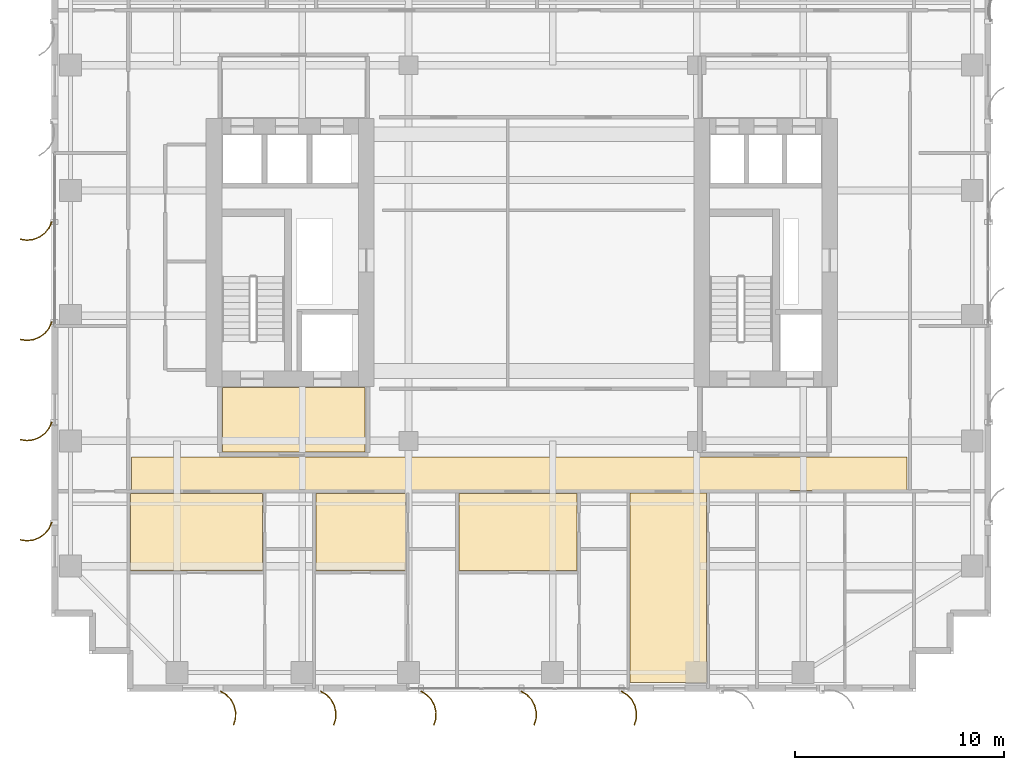
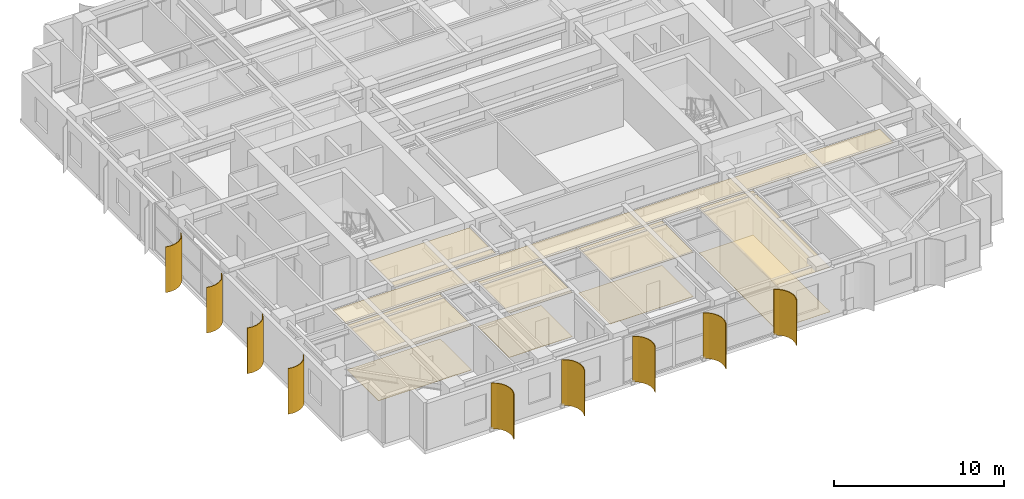
# One storey, part 19 of 22: 10 coverings, 9 shading devices.
"""IFC4 building model written with IfcOpenShell, lengths in metres."""

from ifc_helpers import new_model, si_unit, direction, frame, origin, place, context, subcontext, project, spatial, polyline, outline, extrude, source, transform, mapped, material, layer, layer_set, type_object, element, save


model = new_model("IFC4")

# Units and contexts
model_context = context("Model", 3, precision=1e-05, world=origin(), true_north=direction((0.0, 1.0)))
body_context = subcontext(model_context, "Body", "Model", "MODEL_VIEW")
ifc_project = project(units=[si_unit("LENGTHUNIT", "METRE"), si_unit("AREAUNIT", "SQUARE_METRE"), si_unit("VOLUMEUNIT", "CUBIC_METRE"), si_unit("PLANEANGLEUNIT", "RADIAN"), si_unit("MASSUNIT", "GRAM", prefix="KILO")], contexts=[model_context])

# Site, building, storey
site_placement = place(None, origin())
site = spatial("IfcSite", under=ifc_project, at=site_placement, CompositionType="ELEMENT")
building_placement = place(site_placement, origin())
building = spatial("IfcBuilding", under=site, at=building_placement, Name="Khoralis Quay Care Tower", CompositionType="ELEMENT")
storey_placement = place(building_placement, frame((0.0, 0.0, 98.10009765625)))
storey = spatial("IfcBuildingStorey", under=building, at=storey_placement, Name="L25", CompositionType="ELEMENT", Elevation=98.10009765625)

# Coverings
ifc_material_1 = material(Name="Mineral-fibre acoustic ceiling tile")
ifc_layer_1 = layer(ifc_material_1, 0.01806640625)
ifc_layer_set_1 = layer_set([ifc_layer_1], Name="Mineral-fibre acoustic ceiling tile")
covering_type_1 = type_object("IfcCoveringType", Name="COV-CEIL-AC18", PredefinedType="CEILING", material=ifc_layer_set_1)
covering_1_placement = place(storey_placement, frame((0.0, 0.0, 3.19189453125)))
element("IfcCovering", 1, at=covering_1_placement, inside=storey, type_object=covering_type_1, Name="Suspended Acoustic Ceiling SP-L25-FFLOB-W", PredefinedType="CEILING", context=body_context, shape_type="SweptSolid", body=[
    extrude(outline(polyline([(8.179931640625, 11.47998046875), (15.02001953125, 11.47998046875), (15.02001953125, 14.550048828125), (8.179931640625, 14.550048828125), (8.179931640625, 11.47998046875)])), origin(), (0.0, 0.0, 1.0), 0.01806640625),
])
covering_2_placement = place(storey_placement, frame((0.0, 0.0, 3.19189453125)))
element("IfcCovering", 2, at=covering_2_placement, inside=storey, type_object=covering_type_1, Name="Suspended Acoustic Ceiling SP-L25-CORR-S", PredefinedType="CEILING", context=body_context, shape_type="SweptSolid", body=[
    extrude(outline(polyline([(3.820068359375, 9.6201171875), (40.97998046875, 9.6201171875), (40.97998046875, 11.239990234375), (3.820068359375, 11.239990234375), (3.820068359375, 9.6201171875)])), origin(), (0.0, 0.0, 1.0), 0.01806640625),
])
covering_3_placement = place(storey_placement, frame((0.0, 0.0, 3.19189453125)))
element("IfcCovering", 3, at=covering_3_placement, inside=storey, type_object=covering_type_1, Name="Suspended Acoustic Ceiling SP-L25-SB-CARE0", PredefinedType="CEILING", context=body_context, shape_type="SweptSolid", body=[
    extrude(outline(polyline([(3.780029296875, 5.7900390625), (10.110107421875, 5.7900390625), (10.110107421875, 9.47998046875), (3.780029296875, 9.47998046875), (3.780029296875, 5.7900390625)])), origin(), (0.0, 0.0, 1.0), 0.01806640625),
])
covering_4_placement = place(storey_placement, frame((0.0, 0.0, 3.19189453125)))
element("IfcCovering", 4, at=covering_4_placement, inside=storey, type_object=covering_type_1, Name="Suspended Acoustic Ceiling SP-L25-SB-CARE1", PredefinedType="CEILING", context=body_context, shape_type="SweptSolid", body=[
    extrude(outline(polyline([(12.659912109375, 5.7900390625), (16.9599609375, 5.7900390625), (16.9599609375, 9.47998046875), (12.659912109375, 9.47998046875), (12.659912109375, 5.7900390625)])), origin(), (0.0, 0.0, 1.0), 0.01806640625),
])
covering_5_placement = place(storey_placement, frame((0.0, 0.0, 3.19189453125)))
element("IfcCovering", 5, at=covering_5_placement, inside=storey, type_object=covering_type_1, Name="Suspended Acoustic Ceiling SP-L25-SB-CARE2", PredefinedType="CEILING", context=body_context, shape_type="SweptSolid", body=[
    extrude(outline(polyline([(19.510009765625, 5.7900390625), (25.169921875, 5.7900390625), (25.169921875, 9.47998046875), (19.510009765625, 9.47998046875), (19.510009765625, 5.7900390625)])), origin(), (0.0, 0.0, 1.0), 0.01806640625),
])
covering_6_placement = place(storey_placement, frame((0.0, 0.0, 3.19189453125)))
element("IfcCovering", 6, at=covering_6_placement, inside=storey, type_object=covering_type_1, Name="Suspended Acoustic Ceiling SP-L25-SB-CARE3", PredefinedType="CEILING", context=body_context, shape_type="SweptSolid", body=[
    extrude(outline(polyline([(27.699951171875, 0.419921875), (31.360107421875, 0.419921875), (31.360107421875, 9.5), (27.699951171875, 9.5), (27.699951171875, 0.419921875)])), origin(), (0.0, 0.0, 1.0), 0.01806640625),
])
ifc_material_2 = material(Name="Porcelain and non-slip vinyl flooring")
ifc_layer_2 = layer(ifc_material_2, 0.02001953125)
ifc_layer_set_2 = layer_set([ifc_layer_2], Name="Porcelain and non-slip vinyl flooring")
covering_type_2 = type_object("IfcCoveringType", Name="COV-FLOOR-20", PredefinedType="FLOORING", material=ifc_layer_set_2)
covering_7_placement = place(storey_placement, origin())
element("IfcCovering", 7, at=covering_7_placement, inside=storey, type_object=covering_type_2, Name="Resilient Healthcare Flooring SP-L25-SB-CARE0", PredefinedType="FLOORING", context=body_context, shape_type="SweptSolid", body=[
    extrude(outline(polyline([(3.780029296875, 5.7900390625), (10.110107421875, 5.7900390625), (10.110107421875, 9.47998046875), (3.780029296875, 9.47998046875), (3.780029296875, 5.7900390625)])), origin(), (0.0, 0.0, 1.0), 0.02001953125),
])
covering_8_placement = place(storey_placement, origin())
element("IfcCovering", 8, at=covering_8_placement, inside=storey, type_object=covering_type_2, Name="Resilient Healthcare Flooring SP-L25-SB-CARE1", PredefinedType="FLOORING", context=body_context, shape_type="SweptSolid", body=[
    extrude(outline(polyline([(12.659912109375, 5.7900390625), (16.9599609375, 5.7900390625), (16.9599609375, 9.47998046875), (12.659912109375, 9.47998046875), (12.659912109375, 5.7900390625)])), origin(), (0.0, 0.0, 1.0), 0.02001953125),
])
covering_9_placement = place(storey_placement, origin())
element("IfcCovering", 9, at=covering_9_placement, inside=storey, type_object=covering_type_2, Name="Resilient Healthcare Flooring SP-L25-SB-CARE2", PredefinedType="FLOORING", context=body_context, shape_type="SweptSolid", body=[
    extrude(outline(polyline([(19.510009765625, 5.7900390625), (25.169921875, 5.7900390625), (25.169921875, 9.47998046875), (19.510009765625, 9.47998046875), (19.510009765625, 5.7900390625)])), origin(), (0.0, 0.0, 1.0), 0.02001953125),
])
covering_10_placement = place(storey_placement, origin())
element("IfcCovering", 10, at=covering_10_placement, inside=storey, type_object=covering_type_2, Name="Resilient Healthcare Flooring SP-L25-SB-CARE3", PredefinedType="FLOORING", context=body_context, shape_type="SweptSolid", body=[
    extrude(outline(polyline([(27.699951171875, 0.419921875), (31.360107421875, 0.419921875), (31.360107421875, 9.5), (27.699951171875, 9.5), (27.699951171875, 0.419921875)])), origin(), (0.0, 0.0, 1.0), 0.02001953125),
])

# Shading devices
ifc_material_3 = material(Name="Brushed pale anodised aluminium", Category="aluminium")
ifc_layer_3 = layer(ifc_material_3, 0.044921875)
ifc_layer_set_3 = layer_set([ifc_layer_3], Name="Brushed pale anodised aluminium")
shading_device_type = type_object("IfcShadingDeviceType", Name="SHD-FIN-1250", PredefinedType="USERDEFINED", material=ifc_layer_set_3)
shared_shape_1 = source(origin(), body_context, "Body", "SweptSolid", [
    extrude(outline(polyline([(0.0, 0.0), (0.17041015625, 0.2783203125), (0.4072265625, 0.5029296875), (0.694091796875, 0.658447265625), (1.01123046875, 0.734619140625), (1.33740234375, 0.72607421875), (1.650390625, 0.633544921875), (1.632080078125, 0.59228515625), (1.330322265625, 0.681640625), (1.015869140625, 0.68994140625), (0.710205078125, 0.616455078125), (0.43359375, 0.466552734375), (0.20556640625, 0.25), (0.041015625, -0.018310546875), (0.0, 0.0)])), origin(), (0.0, 0.0, 1.0), 3.27978515625),
])
for number, where, z_axis, x_axis, name in (
    (11, (8.10009765625, 0.030029296875, 0.02001953125), (0.0, 0.0, 1.0), (0.0, -1.0, 0.0), "L25 Curved Solar Fin P1E0-01"),
    (12, (12.89990234375, 0.030029296875, 0.02001953125), (0.0, 0.0, 1.0), (0.0, -1.0, 0.0), "L25 Curved Solar Fin P1E0-02"),
    (13, (17.699951171875, 0.030029296875, 0.02001953125), (0.0, 0.0, 1.0), (0.0, -1.0, 0.0), "L25 Curved Solar Fin P1E0-03"),
    (14, (22.5, 0.030029296875, 0.02001953125), (0.0, 0.0, 1.0), (0.0, -1.0, 0.0), "L25 Curved Solar Fin P1E0-04"),
    (15, (27.300048828125, 0.030029296875, 0.02001953125), (0.0, 0.0, 1.0), (0.0, -1.0, 0.0), "L25 Curved Solar Fin P1E0-05"),
):
    element("IfcShadingDevice", number, at=place(storey_placement, frame(where, z_axis=z_axis, x_axis=x_axis)), inside=storey, type_object=shading_device_type, Name=name, ObjectType="FIN", PredefinedType="USERDEFINED", context=body_context, shape_type="MappedRepresentation", body=[
        mapped(shared_shape_1, transform((0.0, 0.0, 0.0), scale=1.0)),
    ])
shared_shape_2 = source(origin(), body_context, "Body", "SweptSolid", [
    extrude(outline(polyline([(0.0, 0.0), (0.130126953125, 0.29931640625), (0.333251953125, 0.5546875), (0.595458984375, 0.748779296875), (0.899169921875, 0.868408203125), (1.223388671875, 0.9052734375), (1.546142578125, 0.85693359375), (1.53369140625, 0.813720703125), (1.22265625, 0.8603515625), (0.91015625, 0.82470703125), (0.617431640625, 0.70947265625), (0.364501953125, 0.522216796875), (0.168701171875, 0.276123046875), (0.043212890625, -0.012451171875), (0.0, 0.0)])), origin(), (0.0, 0.0, 1.0), 3.27978515625),
])
for number, where, z_axis, x_axis, name in (
    (16, (0.030029296875, 22.5, 0.02001953125), (0.0, 0.0, 1.0), (-1.0, 0.0, 0.0), "L25 Curved Solar Fin P1E15-04"),
    (17, (0.030029296875, 17.699951171875, 0.02001953125), (0.0, 0.0, 1.0), (-1.0, 0.0, 0.0), "L25 Curved Solar Fin P1E15-05"),
    (18, (0.030029296875, 12.89990234375, 0.02001953125), (0.0, 0.0, 1.0), (-1.0, 0.0, 0.0), "L25 Curved Solar Fin P1E15-06"),
    (19, (0.030029296875, 8.10009765625, 0.02001953125), (0.0, 0.0, 1.0), (-1.0, 0.0, 0.0), "L25 Curved Solar Fin P1E15-07"),
):
    element("IfcShadingDevice", number, at=place(storey_placement, frame(where, z_axis=z_axis, x_axis=x_axis)), inside=storey, type_object=shading_device_type, Name=name, ObjectType="FIN", PredefinedType="USERDEFINED", context=body_context, shape_type="MappedRepresentation", body=[
        mapped(shared_shape_2, transform((0.0, 0.0, 0.0), scale=1.0)),
    ])

save(model, "model.ifc")
